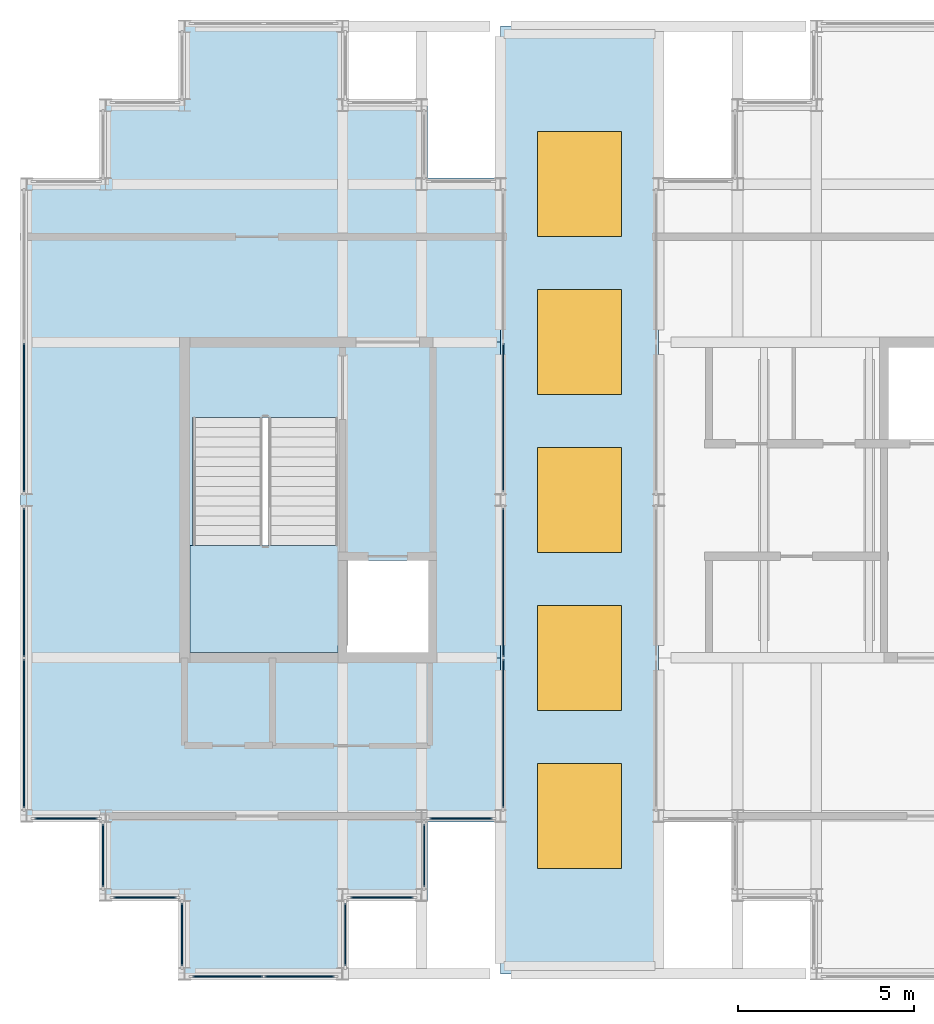
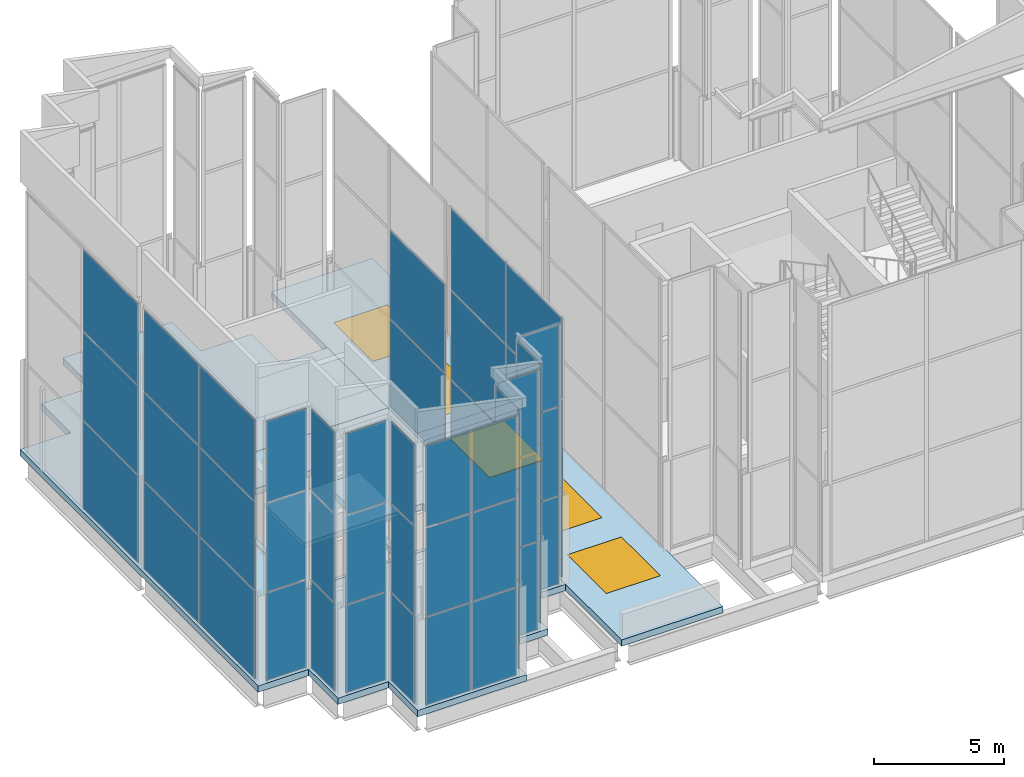
# One storey, part 11 of 23: 47 plates, 5 windows, 4 slabs, 5 openings, 14 elements without a shape of their own.
"""IFC4 building model written with IfcOpenShell, lengths in metres."""

from ifc_helpers import new_model, si_unit, direction, frame, origin, origin_2d, place, context, subcontext, project, spatial, polyline, rectangle, outline, extrude, material, layer, layer_set, type_object, element, fill, aggregate, save


model = new_model("IFC4")

# Units and contexts
model_context = context("Model", 3, precision=1e-05, world=origin(), true_north=direction((0.0, 1.0)))
body_context = subcontext(model_context, "Body", "Model", "MODEL_VIEW")
ifc_project = project(units=[si_unit("LENGTHUNIT", "METRE"), si_unit("AREAUNIT", "SQUARE_METRE"), si_unit("VOLUMEUNIT", "CUBIC_METRE"), si_unit("PLANEANGLEUNIT", "RADIAN"), si_unit("MASSUNIT", "GRAM", prefix="KILO")], contexts=[model_context])

# Site, building, storey
site_placement = place(None, origin())
site = spatial("IfcSite", under=ifc_project, at=site_placement, CompositionType="ELEMENT")
building_placement = place(site_placement, origin())
building = spatial("IfcBuilding", under=site, at=building_placement, Name="Caravel Reach Hotel and Residences", CompositionType="ELEMENT")
storey_placement = place(building_placement, frame((0.0, 0.0, 312.800048828125)))
storey = spatial("IfcBuildingStorey", under=building, at=storey_placement, Name="L79", CompositionType="ELEMENT", Elevation=312.800048828125)

# Curtain wall, plates
ifc_material_1 = material(Name="Dark low-e glazing in black aluminium frame", Category="aluminium")
ifc_layer_1 = layer(ifc_material_1, 0.199951171875)
ifc_layer_set_1 = layer_set([ifc_layer_1], Name="CW4 Crown glazing")
curtain_wall_type = type_object("IfcCurtainWallType", Name="CW4 Crown glazing", PredefinedType="NOTDEFINED", material=ifc_layer_set_1)
curtain_wall_1_placement = place(storey_placement, origin())
curtain_wall_1 = element("IfcCurtainWall", 1, at=curtain_wall_1_placement, inside=storey, type_object=curtain_wall_type, Name="Crown glazing b0", PredefinedType="NOTDEFINED")
ifc_material_2 = material(Name="Dark laminated low-e glass", Category="glass")
ifc_layer_2 = layer(ifc_material_2, 0.031982421875)
ifc_layer_set_2 = layer_set([ifc_layer_2], Name="CW glass panel 32")
plate_type = type_object("IfcPlateType", Name="CW glass panel 32", PredefinedType="CURTAIN_PANEL", material=ifc_layer_set_2)
plate_1_placement = place(storey_placement, frame((22.574951171875, 14.625, 0.06005859375), z_axis=(0.0, 0.0, 1.0), x_axis=(0.0, 1.0, 0.0)))
plate_1 = element("IfcPlate", 2, at=plate_1_placement, type_object=plate_type, Name="CW4 panel 1.1", PredefinedType="CURTAIN_PANEL", context=body_context, shape_type="SweptSolid", body=[
    extrude(rectangle(XDim=1.780029296875, YDim=0.031982421875, at=origin_2d()), origin(), (0.0, 0.0, 1.0), 4.110107421875),
])
plate_2_placement = place(storey_placement, frame((22.574951171875, 14.625, 4.22998046875), z_axis=(0.0, 0.0, 1.0), x_axis=(0.0, 1.0, 0.0)))
plate_2 = element("IfcPlate", 3, at=plate_2_placement, type_object=plate_type, Name="CW4 panel 1.2", PredefinedType="CURTAIN_PANEL", context=body_context, shape_type="SweptSolid", body=[
    extrude(rectangle(XDim=1.780029296875, YDim=0.031982421875, at=origin_2d()), origin(), (0.0, 0.0, 1.0), 4.139892578125),
])
plate_3_placement = place(storey_placement, frame((22.574951171875, 14.625, 8.429931640625), z_axis=(0.0, 0.0, 1.0), x_axis=(0.0, 1.0, 0.0)))
plate_3 = element("IfcPlate", 4, at=plate_3_placement, type_object=plate_type, Name="CW4 panel 1.3", PredefinedType="CURTAIN_PANEL", context=body_context, shape_type="SweptSolid", body=[
    extrude(rectangle(XDim=1.780029296875, YDim=0.031982421875, at=origin_2d()), origin(), (0.0, 0.0, 1.0), 3.81005859375),
])
aggregate(curtain_wall_1, [plate_1, plate_2, plate_3])

curtain_wall_2_placement = place(storey_placement, origin())
curtain_wall_2 = element("IfcCurtainWall", 5, at=curtain_wall_2_placement, inside=storey, type_object=curtain_wall_type, Name="Crown glazing b0", PredefinedType="NOTDEFINED")
plate_4_placement = place(storey_placement, frame((23.625, 15.675048828125, 0.06005859375), z_axis=(0.0, 0.0, 1.0), x_axis=(1.0, 0.0, 0.0)))
plate_4 = element("IfcPlate", 6, at=plate_4_placement, type_object=plate_type, Name="CW4 panel 1.1", PredefinedType="CURTAIN_PANEL", context=body_context, shape_type="SweptSolid", body=[
    extrude(rectangle(XDim=1.780029296875, YDim=0.031982421875, at=origin_2d()), origin(), (0.0, 0.0, 1.0), 4.110107421875),
])
plate_5_placement = place(storey_placement, frame((23.625, 15.675048828125, 4.22998046875), z_axis=(0.0, 0.0, 1.0), x_axis=(1.0, 0.0, 0.0)))
plate_5 = element("IfcPlate", 7, at=plate_5_placement, type_object=plate_type, Name="CW4 panel 1.2", PredefinedType="CURTAIN_PANEL", context=body_context, shape_type="SweptSolid", body=[
    extrude(rectangle(XDim=1.780029296875, YDim=0.031982421875, at=origin_2d()), origin(), (0.0, 0.0, 1.0), 4.139892578125),
])
plate_6_placement = place(storey_placement, frame((23.625, 15.675048828125, 8.429931640625), z_axis=(0.0, 0.0, 1.0), x_axis=(1.0, 0.0, 0.0)))
plate_6 = element("IfcPlate", 8, at=plate_6_placement, type_object=plate_type, Name="CW4 panel 1.3", PredefinedType="CURTAIN_PANEL", context=body_context, shape_type="SweptSolid", body=[
    extrude(rectangle(XDim=1.780029296875, YDim=0.031982421875, at=origin_2d()), origin(), (0.0, 0.0, 1.0), 3.81005859375),
])
aggregate(curtain_wall_2, [plate_4, plate_5, plate_6])

curtain_wall_3_placement = place(storey_placement, origin())
curtain_wall_3 = element("IfcCurtainWall", 9, at=curtain_wall_3_placement, inside=storey, type_object=curtain_wall_type, Name="Crown glazing b0", PredefinedType="NOTDEFINED")
plate_7_placement = place(storey_placement, frame((24.824951171875, 16.875, 0.06005859375), z_axis=(0.0, 0.0, 1.0), x_axis=(0.0, 1.0, 0.0)))
plate_7 = element("IfcPlate", 10, at=plate_7_placement, type_object=plate_type, Name="CW4 panel 1.1", PredefinedType="CURTAIN_PANEL", context=body_context, shape_type="SweptSolid", body=[
    extrude(rectangle(XDim=1.780029296875, YDim=0.031982421875, at=origin_2d()), origin(), (0.0, 0.0, 1.0), 4.110107421875),
])
plate_8_placement = place(storey_placement, frame((24.824951171875, 16.875, 4.22998046875), z_axis=(0.0, 0.0, 1.0), x_axis=(0.0, 1.0, 0.0)))
plate_8 = element("IfcPlate", 11, at=plate_8_placement, type_object=plate_type, Name="CW4 panel 1.2", PredefinedType="CURTAIN_PANEL", context=body_context, shape_type="SweptSolid", body=[
    extrude(rectangle(XDim=1.780029296875, YDim=0.031982421875, at=origin_2d()), origin(), (0.0, 0.0, 1.0), 4.139892578125),
])
plate_9_placement = place(storey_placement, frame((24.824951171875, 16.875, 8.429931640625), z_axis=(0.0, 0.0, 1.0), x_axis=(0.0, 1.0, 0.0)))
plate_9 = element("IfcPlate", 12, at=plate_9_placement, type_object=plate_type, Name="CW4 panel 1.3", PredefinedType="CURTAIN_PANEL", context=body_context, shape_type="SweptSolid", body=[
    extrude(rectangle(XDim=1.780029296875, YDim=0.031982421875, at=origin_2d()), origin(), (0.0, 0.0, 1.0), 3.81005859375),
])
aggregate(curtain_wall_3, [plate_7, plate_8, plate_9])

curtain_wall_4_placement = place(storey_placement, origin())
curtain_wall_4 = element("IfcCurtainWall", 13, at=curtain_wall_4_placement, inside=storey, type_object=curtain_wall_type, Name="Crown glazing b0", PredefinedType="NOTDEFINED")
plate_10_placement = place(storey_placement, frame((25.875, 17.925048828125, 0.06005859375), z_axis=(0.0, 0.0, 1.0), x_axis=(1.0, 0.0, 0.0)))
plate_10 = element("IfcPlate", 14, at=plate_10_placement, type_object=plate_type, Name="CW4 panel 1.1", PredefinedType="CURTAIN_PANEL", context=body_context, shape_type="SweptSolid", body=[
    extrude(rectangle(XDim=1.780029296875, YDim=0.031982421875, at=origin_2d()), origin(), (0.0, 0.0, 1.0), 4.110107421875),
])
plate_11_placement = place(storey_placement, frame((25.875, 17.925048828125, 4.22998046875), z_axis=(0.0, 0.0, 1.0), x_axis=(1.0, 0.0, 0.0)))
plate_11 = element("IfcPlate", 15, at=plate_11_placement, type_object=plate_type, Name="CW4 panel 1.2", PredefinedType="CURTAIN_PANEL", context=body_context, shape_type="SweptSolid", body=[
    extrude(rectangle(XDim=1.780029296875, YDim=0.031982421875, at=origin_2d()), origin(), (0.0, 0.0, 1.0), 4.139892578125),
])
plate_12_placement = place(storey_placement, frame((25.875, 17.925048828125, 8.429931640625), z_axis=(0.0, 0.0, 1.0), x_axis=(1.0, 0.0, 0.0)))
plate_12 = element("IfcPlate", 16, at=plate_12_placement, type_object=plate_type, Name="CW4 panel 1.3", PredefinedType="CURTAIN_PANEL", context=body_context, shape_type="SweptSolid", body=[
    extrude(rectangle(XDim=1.780029296875, YDim=0.031982421875, at=origin_2d()), origin(), (0.0, 0.0, 1.0), 3.81005859375),
])
aggregate(curtain_wall_4, [plate_10, plate_11, plate_12])

curtain_wall_5_placement = place(storey_placement, origin())
curtain_wall_5 = element("IfcCurtainWall", 17, at=curtain_wall_5_placement, inside=storey, type_object=curtain_wall_type, Name="Crown glazing b0", PredefinedType="NOTDEFINED")
plate_13_placement = place(storey_placement, frame((27.074951171875, 20.3525390625, 0.06005859375), z_axis=(0.0, 0.0, 1.0), x_axis=(0.0, 1.0, 0.0)))
plate_13 = element("IfcPlate", 18, at=plate_13_placement, type_object=plate_type, Name="CW4 panel 1.1", PredefinedType="CURTAIN_PANEL", context=body_context, shape_type="SweptSolid", body=[
    extrude(rectangle(XDim=4.235107421875, YDim=0.031982421875, at=origin_2d()), origin(), (0.0, 0.0, 1.0), 4.110107421875),
])
plate_14_placement = place(storey_placement, frame((27.074951171875, 20.3525390625, 4.22998046875), z_axis=(0.0, 0.0, 1.0), x_axis=(0.0, 1.0, 0.0)))
plate_14 = element("IfcPlate", 19, at=plate_14_placement, type_object=plate_type, Name="CW4 panel 1.2", PredefinedType="CURTAIN_PANEL", context=body_context, shape_type="SweptSolid", body=[
    extrude(rectangle(XDim=4.235107421875, YDim=0.031982421875, at=origin_2d()), origin(), (0.0, 0.0, 1.0), 4.139892578125),
])
plate_15_placement = place(storey_placement, frame((27.074951171875, 20.3525390625, 8.429931640625), z_axis=(0.0, 0.0, 1.0), x_axis=(0.0, 1.0, 0.0)))
plate_15 = element("IfcPlate", 20, at=plate_15_placement, type_object=plate_type, Name="CW4 panel 1.3", PredefinedType="CURTAIN_PANEL", context=body_context, shape_type="SweptSolid", body=[
    extrude(rectangle(XDim=4.235107421875, YDim=0.031982421875, at=origin_2d()), origin(), (0.0, 0.0, 1.0), 3.81005859375),
])
plate_16_placement = place(storey_placement, frame((27.074951171875, 24.6474609375, 0.06005859375), z_axis=(0.0, 0.0, 1.0), x_axis=(0.0, 1.0, 0.0)))
plate_16 = element("IfcPlate", 21, at=plate_16_placement, type_object=plate_type, Name="CW4 panel 2.1", PredefinedType="CURTAIN_PANEL", context=body_context, shape_type="SweptSolid", body=[
    extrude(rectangle(XDim=4.235107421875, YDim=0.031982421875, at=origin_2d()), origin(), (0.0, 0.0, 1.0), 4.110107421875),
])
plate_17_placement = place(storey_placement, frame((27.074951171875, 24.6474609375, 4.22998046875), z_axis=(0.0, 0.0, 1.0), x_axis=(0.0, 1.0, 0.0)))
plate_17 = element("IfcPlate", 22, at=plate_17_placement, type_object=plate_type, Name="CW4 panel 2.2", PredefinedType="CURTAIN_PANEL", context=body_context, shape_type="SweptSolid", body=[
    extrude(rectangle(XDim=4.235107421875, YDim=0.031982421875, at=origin_2d()), origin(), (0.0, 0.0, 1.0), 4.139892578125),
])
plate_18_placement = place(storey_placement, frame((27.074951171875, 24.6474609375, 8.429931640625), z_axis=(0.0, 0.0, 1.0), x_axis=(0.0, 1.0, 0.0)))
plate_18 = element("IfcPlate", 23, at=plate_18_placement, type_object=plate_type, Name="CW4 panel 2.3", PredefinedType="CURTAIN_PANEL", context=body_context, shape_type="SweptSolid", body=[
    extrude(rectangle(XDim=4.235107421875, YDim=0.031982421875, at=origin_2d()), origin(), (0.0, 0.0, 1.0), 3.81005859375),
])
aggregate(curtain_wall_5, [plate_13, plate_14, plate_15, plate_16, plate_17, plate_18])

curtain_wall_6_placement = place(storey_placement, origin())
curtain_wall_6 = element("IfcCurtainWall", 24, at=curtain_wall_6_placement, inside=storey, type_object=curtain_wall_type, Name="Crown glazing b1", PredefinedType="NOTDEFINED")
plate_19_placement = place(storey_placement, frame((27.074951171875, 29.3525390625, 0.06005859375), z_axis=(0.0, 0.0, 1.0), x_axis=(0.0, 1.0, 0.0)))
plate_19 = element("IfcPlate", 25, at=plate_19_placement, type_object=plate_type, Name="CW4 panel 1.1", PredefinedType="CURTAIN_PANEL", context=body_context, shape_type="SweptSolid", body=[
    extrude(rectangle(XDim=4.235107421875, YDim=0.031982421875, at=origin_2d()), origin(), (0.0, 0.0, 1.0), 4.110107421875),
])
plate_20_placement = place(storey_placement, frame((27.074951171875, 29.3525390625, 4.22998046875), z_axis=(0.0, 0.0, 1.0), x_axis=(0.0, 1.0, 0.0)))
plate_20 = element("IfcPlate", 26, at=plate_20_placement, type_object=plate_type, Name="CW4 panel 1.2", PredefinedType="CURTAIN_PANEL", context=body_context, shape_type="SweptSolid", body=[
    extrude(rectangle(XDim=4.235107421875, YDim=0.031982421875, at=origin_2d()), origin(), (0.0, 0.0, 1.0), 4.139892578125),
])
aggregate(curtain_wall_6, [plate_19, plate_20])

curtain_wall_7_placement = place(storey_placement, origin())
curtain_wall_7 = element("IfcCurtainWall", 27, at=curtain_wall_7_placement, inside=storey, type_object=curtain_wall_type, Name="Crown glazing b0", PredefinedType="NOTDEFINED")
plate_21_placement = place(storey_placement, frame((13.425048828125, 29.3525390625, 0.06005859375), z_axis=(0.0, 0.0, 1.0), x_axis=(0.0, -1.0, 0.0)))
plate_21 = element("IfcPlate", 28, at=plate_21_placement, type_object=plate_type, Name="CW4 panel 2.1", PredefinedType="CURTAIN_PANEL", context=body_context, shape_type="SweptSolid", body=[
    extrude(rectangle(XDim=4.235107421875, YDim=0.031982421875, at=origin_2d()), origin(), (0.0, 0.0, 1.0), 4.110107421875),
])
plate_22_placement = place(storey_placement, frame((13.425048828125, 29.3525390625, 4.22998046875), z_axis=(0.0, 0.0, 1.0), x_axis=(0.0, -1.0, 0.0)))
plate_22 = element("IfcPlate", 29, at=plate_22_placement, type_object=plate_type, Name="CW4 panel 2.2", PredefinedType="CURTAIN_PANEL", context=body_context, shape_type="SweptSolid", body=[
    extrude(rectangle(XDim=4.235107421875, YDim=0.031982421875, at=origin_2d()), origin(), (0.0, 0.0, 1.0), 4.139892578125),
])
plate_23_placement = place(storey_placement, frame((13.425048828125, 29.3525390625, 8.429931640625), z_axis=(0.0, 0.0, 1.0), x_axis=(0.0, -1.0, 0.0)))
plate_23 = element("IfcPlate", 30, at=plate_23_placement, type_object=plate_type, Name="CW4 panel 2.3", PredefinedType="CURTAIN_PANEL", context=body_context, shape_type="SweptSolid", body=[
    extrude(rectangle(XDim=4.235107421875, YDim=0.031982421875, at=origin_2d()), origin(), (0.0, 0.0, 1.0), 3.81005859375),
])
aggregate(curtain_wall_7, [plate_21, plate_22, plate_23])

curtain_wall_8_placement = place(storey_placement, origin())
curtain_wall_8 = element("IfcCurtainWall", 31, at=curtain_wall_8_placement, inside=storey, type_object=curtain_wall_type, Name="Crown glazing b1", PredefinedType="NOTDEFINED")
plate_24_placement = place(storey_placement, frame((13.425048828125, 24.6474609375, 0.06005859375), z_axis=(0.0, 0.0, 1.0), x_axis=(0.0, -1.0, 0.0)))
plate_24 = element("IfcPlate", 32, at=plate_24_placement, type_object=plate_type, Name="CW4 panel 1.1", PredefinedType="CURTAIN_PANEL", context=body_context, shape_type="SweptSolid", body=[
    extrude(rectangle(XDim=4.235107421875, YDim=0.031982421875, at=origin_2d()), origin(), (0.0, 0.0, 1.0), 4.110107421875),
])
plate_25_placement = place(storey_placement, frame((13.425048828125, 24.6474609375, 4.22998046875), z_axis=(0.0, 0.0, 1.0), x_axis=(0.0, -1.0, 0.0)))
plate_25 = element("IfcPlate", 33, at=plate_25_placement, type_object=plate_type, Name="CW4 panel 1.2", PredefinedType="CURTAIN_PANEL", context=body_context, shape_type="SweptSolid", body=[
    extrude(rectangle(XDim=4.235107421875, YDim=0.031982421875, at=origin_2d()), origin(), (0.0, 0.0, 1.0), 4.139892578125),
])
plate_26_placement = place(storey_placement, frame((13.425048828125, 24.6474609375, 8.429931640625), z_axis=(0.0, 0.0, 1.0), x_axis=(0.0, -1.0, 0.0)))
plate_26 = element("IfcPlate", 34, at=plate_26_placement, type_object=plate_type, Name="CW4 panel 1.3", PredefinedType="CURTAIN_PANEL", context=body_context, shape_type="SweptSolid", body=[
    extrude(rectangle(XDim=4.235107421875, YDim=0.031982421875, at=origin_2d()), origin(), (0.0, 0.0, 1.0), 3.81005859375),
])
plate_27_placement = place(storey_placement, frame((13.425048828125, 20.3525390625, 0.06005859375), z_axis=(0.0, 0.0, 1.0), x_axis=(0.0, -1.0, 0.0)))
plate_27 = element("IfcPlate", 35, at=plate_27_placement, type_object=plate_type, Name="CW4 panel 2.1", PredefinedType="CURTAIN_PANEL", context=body_context, shape_type="SweptSolid", body=[
    extrude(rectangle(XDim=4.235107421875, YDim=0.031982421875, at=origin_2d()), origin(), (0.0, 0.0, 1.0), 4.110107421875),
])
plate_28_placement = place(storey_placement, frame((13.425048828125, 20.3525390625, 4.22998046875), z_axis=(0.0, 0.0, 1.0), x_axis=(0.0, -1.0, 0.0)))
plate_28 = element("IfcPlate", 36, at=plate_28_placement, type_object=plate_type, Name="CW4 panel 2.2", PredefinedType="CURTAIN_PANEL", context=body_context, shape_type="SweptSolid", body=[
    extrude(rectangle(XDim=4.235107421875, YDim=0.031982421875, at=origin_2d()), origin(), (0.0, 0.0, 1.0), 4.139892578125),
])
plate_29_placement = place(storey_placement, frame((13.425048828125, 20.3525390625, 8.429931640625), z_axis=(0.0, 0.0, 1.0), x_axis=(0.0, -1.0, 0.0)))
plate_29 = element("IfcPlate", 37, at=plate_29_placement, type_object=plate_type, Name="CW4 panel 2.3", PredefinedType="CURTAIN_PANEL", context=body_context, shape_type="SweptSolid", body=[
    extrude(rectangle(XDim=4.235107421875, YDim=0.031982421875, at=origin_2d()), origin(), (0.0, 0.0, 1.0), 3.81005859375),
])
aggregate(curtain_wall_8, [plate_24, plate_25, plate_26, plate_27, plate_28, plate_29])

curtain_wall_9_placement = place(storey_placement, origin())
curtain_wall_9 = element("IfcCurtainWall", 38, at=curtain_wall_9_placement, inside=storey, type_object=curtain_wall_type, Name="Crown glazing b0", PredefinedType="NOTDEFINED")
plate_30_placement = place(storey_placement, frame((14.625, 17.925048828125, 0.06005859375), z_axis=(0.0, 0.0, 1.0), x_axis=(1.0, 0.0, 0.0)))
plate_30 = element("IfcPlate", 39, at=plate_30_placement, type_object=plate_type, Name="CW4 panel 1.1", PredefinedType="CURTAIN_PANEL", context=body_context, shape_type="SweptSolid", body=[
    extrude(rectangle(XDim=1.780029296875, YDim=0.031982421875, at=origin_2d()), origin(), (0.0, 0.0, 1.0), 4.110107421875),
])
plate_31_placement = place(storey_placement, frame((14.625, 17.925048828125, 4.22998046875), z_axis=(0.0, 0.0, 1.0), x_axis=(1.0, 0.0, 0.0)))
plate_31 = element("IfcPlate", 40, at=plate_31_placement, type_object=plate_type, Name="CW4 panel 1.2", PredefinedType="CURTAIN_PANEL", context=body_context, shape_type="SweptSolid", body=[
    extrude(rectangle(XDim=1.780029296875, YDim=0.031982421875, at=origin_2d()), origin(), (0.0, 0.0, 1.0), 4.139892578125),
])
plate_32_placement = place(storey_placement, frame((14.625, 17.925048828125, 8.429931640625), z_axis=(0.0, 0.0, 1.0), x_axis=(1.0, 0.0, 0.0)))
plate_32 = element("IfcPlate", 41, at=plate_32_placement, type_object=plate_type, Name="CW4 panel 1.3", PredefinedType="CURTAIN_PANEL", context=body_context, shape_type="SweptSolid", body=[
    extrude(rectangle(XDim=1.780029296875, YDim=0.031982421875, at=origin_2d()), origin(), (0.0, 0.0, 1.0), 3.81005859375),
])
aggregate(curtain_wall_9, [plate_30, plate_31, plate_32])

curtain_wall_10_placement = place(storey_placement, origin())
curtain_wall_10 = element("IfcCurtainWall", 42, at=curtain_wall_10_placement, inside=storey, type_object=curtain_wall_type, Name="Crown glazing b0", PredefinedType="NOTDEFINED")
plate_33_placement = place(storey_placement, frame((15.675048828125, 16.875, 0.06005859375), z_axis=(0.0, 0.0, 1.0), x_axis=(0.0, -1.0, 0.0)))
plate_33 = element("IfcPlate", 43, at=plate_33_placement, type_object=plate_type, Name="CW4 panel 1.1", PredefinedType="CURTAIN_PANEL", context=body_context, shape_type="SweptSolid", body=[
    extrude(rectangle(XDim=1.780029296875, YDim=0.031982421875, at=origin_2d()), origin(), (0.0, 0.0, 1.0), 4.110107421875),
])
plate_34_placement = place(storey_placement, frame((15.675048828125, 16.875, 4.22998046875), z_axis=(0.0, 0.0, 1.0), x_axis=(0.0, -1.0, 0.0)))
plate_34 = element("IfcPlate", 44, at=plate_34_placement, type_object=plate_type, Name="CW4 panel 1.2", PredefinedType="CURTAIN_PANEL", context=body_context, shape_type="SweptSolid", body=[
    extrude(rectangle(XDim=1.780029296875, YDim=0.031982421875, at=origin_2d()), origin(), (0.0, 0.0, 1.0), 4.139892578125),
])
plate_35_placement = place(storey_placement, frame((15.675048828125, 16.875, 8.429931640625), z_axis=(0.0, 0.0, 1.0), x_axis=(0.0, -1.0, 0.0)))
plate_35 = element("IfcPlate", 45, at=plate_35_placement, type_object=plate_type, Name="CW4 panel 1.3", PredefinedType="CURTAIN_PANEL", context=body_context, shape_type="SweptSolid", body=[
    extrude(rectangle(XDim=1.780029296875, YDim=0.031982421875, at=origin_2d()), origin(), (0.0, 0.0, 1.0), 3.81005859375),
])
aggregate(curtain_wall_10, [plate_33, plate_34, plate_35])

curtain_wall_11_placement = place(storey_placement, origin())
curtain_wall_11 = element("IfcCurtainWall", 46, at=curtain_wall_11_placement, inside=storey, type_object=curtain_wall_type, Name="Crown glazing b0", PredefinedType="NOTDEFINED")
plate_36_placement = place(storey_placement, frame((16.875, 15.675048828125, 0.06005859375), z_axis=(0.0, 0.0, 1.0), x_axis=(1.0, 0.0, 0.0)))
plate_36 = element("IfcPlate", 47, at=plate_36_placement, type_object=plate_type, Name="CW4 panel 1.1", PredefinedType="CURTAIN_PANEL", context=body_context, shape_type="SweptSolid", body=[
    extrude(rectangle(XDim=1.780029296875, YDim=0.031982421875, at=origin_2d()), origin(), (0.0, 0.0, 1.0), 4.110107421875),
])
plate_37_placement = place(storey_placement, frame((16.875, 15.675048828125, 4.22998046875), z_axis=(0.0, 0.0, 1.0), x_axis=(1.0, 0.0, 0.0)))
plate_37 = element("IfcPlate", 48, at=plate_37_placement, type_object=plate_type, Name="CW4 panel 1.2", PredefinedType="CURTAIN_PANEL", context=body_context, shape_type="SweptSolid", body=[
    extrude(rectangle(XDim=1.780029296875, YDim=0.031982421875, at=origin_2d()), origin(), (0.0, 0.0, 1.0), 4.139892578125),
])
plate_38_placement = place(storey_placement, frame((16.875, 15.675048828125, 8.429931640625), z_axis=(0.0, 0.0, 1.0), x_axis=(1.0, 0.0, 0.0)))
plate_38 = element("IfcPlate", 49, at=plate_38_placement, type_object=plate_type, Name="CW4 panel 1.3", PredefinedType="CURTAIN_PANEL", context=body_context, shape_type="SweptSolid", body=[
    extrude(rectangle(XDim=1.780029296875, YDim=0.031982421875, at=origin_2d()), origin(), (0.0, 0.0, 1.0), 3.81005859375),
])
aggregate(curtain_wall_11, [plate_36, plate_37, plate_38])

curtain_wall_12_placement = place(storey_placement, origin())
curtain_wall_12 = element("IfcCurtainWall", 50, at=curtain_wall_12_placement, inside=storey, type_object=curtain_wall_type, Name="Crown glazing b0", PredefinedType="NOTDEFINED")
plate_39_placement = place(storey_placement, frame((17.925048828125, 14.625, 0.06005859375), z_axis=(0.0, 0.0, 1.0), x_axis=(0.0, -1.0, 0.0)))
plate_39 = element("IfcPlate", 51, at=plate_39_placement, type_object=plate_type, Name="CW4 panel 1.1", PredefinedType="CURTAIN_PANEL", context=body_context, shape_type="SweptSolid", body=[
    extrude(rectangle(XDim=1.780029296875, YDim=0.031982421875, at=origin_2d()), origin(), (0.0, 0.0, 1.0), 4.110107421875),
])
plate_40_placement = place(storey_placement, frame((17.925048828125, 14.625, 4.22998046875), z_axis=(0.0, 0.0, 1.0), x_axis=(0.0, -1.0, 0.0)))
plate_40 = element("IfcPlate", 52, at=plate_40_placement, type_object=plate_type, Name="CW4 panel 1.2", PredefinedType="CURTAIN_PANEL", context=body_context, shape_type="SweptSolid", body=[
    extrude(rectangle(XDim=1.780029296875, YDim=0.031982421875, at=origin_2d()), origin(), (0.0, 0.0, 1.0), 4.139892578125),
])
plate_41_placement = place(storey_placement, frame((17.925048828125, 14.625, 8.429931640625), z_axis=(0.0, 0.0, 1.0), x_axis=(0.0, -1.0, 0.0)))
plate_41 = element("IfcPlate", 53, at=plate_41_placement, type_object=plate_type, Name="CW4 panel 1.3", PredefinedType="CURTAIN_PANEL", context=body_context, shape_type="SweptSolid", body=[
    extrude(rectangle(XDim=1.780029296875, YDim=0.031982421875, at=origin_2d()), origin(), (0.0, 0.0, 1.0), 3.81005859375),
])
aggregate(curtain_wall_12, [plate_39, plate_40, plate_41])

curtain_wall_13_placement = place(storey_placement, origin())
curtain_wall_13 = element("IfcCurtainWall", 54, at=curtain_wall_13_placement, inside=storey, type_object=curtain_wall_type, Name="Crown glazing b0", PredefinedType="NOTDEFINED")
plate_42_placement = place(storey_placement, frame((19.2275390625, 13.425048828125, 0.06005859375), z_axis=(0.0, 0.0, 1.0), x_axis=(1.0, 0.0, 0.0)))
plate_42 = element("IfcPlate", 55, at=plate_42_placement, type_object=plate_type, Name="CW4 panel 1.1", PredefinedType="CURTAIN_PANEL", context=body_context, shape_type="SweptSolid", body=[
    extrude(rectangle(XDim=1.985107421875, YDim=0.031982421875, at=origin_2d()), origin(), (0.0, 0.0, 1.0), 4.110107421875),
])
plate_43_placement = place(storey_placement, frame((19.2275390625, 13.425048828125, 4.22998046875), z_axis=(0.0, 0.0, 1.0), x_axis=(1.0, 0.0, 0.0)))
plate_43 = element("IfcPlate", 56, at=plate_43_placement, type_object=plate_type, Name="CW4 panel 1.2", PredefinedType="CURTAIN_PANEL", context=body_context, shape_type="SweptSolid", body=[
    extrude(rectangle(XDim=1.985107421875, YDim=0.031982421875, at=origin_2d()), origin(), (0.0, 0.0, 1.0), 4.139892578125),
])
plate_44_placement = place(storey_placement, frame((19.2275390625, 13.425048828125, 8.429931640625), z_axis=(0.0, 0.0, 1.0), x_axis=(1.0, 0.0, 0.0)))
plate_44 = element("IfcPlate", 57, at=plate_44_placement, type_object=plate_type, Name="CW4 panel 1.3", PredefinedType="CURTAIN_PANEL", context=body_context, shape_type="SweptSolid", body=[
    extrude(rectangle(XDim=1.985107421875, YDim=0.031982421875, at=origin_2d()), origin(), (0.0, 0.0, 1.0), 3.81005859375),
])
plate_45_placement = place(storey_placement, frame((21.2724609375, 13.425048828125, 0.06005859375), z_axis=(0.0, 0.0, 1.0), x_axis=(1.0, 0.0, 0.0)))
plate_45 = element("IfcPlate", 58, at=plate_45_placement, type_object=plate_type, Name="CW4 panel 2.1", PredefinedType="CURTAIN_PANEL", context=body_context, shape_type="SweptSolid", body=[
    extrude(rectangle(XDim=1.985107421875, YDim=0.031982421875, at=origin_2d()), origin(), (0.0, 0.0, 1.0), 4.110107421875),
])
plate_46_placement = place(storey_placement, frame((21.2724609375, 13.425048828125, 4.22998046875), z_axis=(0.0, 0.0, 1.0), x_axis=(1.0, 0.0, 0.0)))
plate_46 = element("IfcPlate", 59, at=plate_46_placement, type_object=plate_type, Name="CW4 panel 2.2", PredefinedType="CURTAIN_PANEL", context=body_context, shape_type="SweptSolid", body=[
    extrude(rectangle(XDim=1.985107421875, YDim=0.031982421875, at=origin_2d()), origin(), (0.0, 0.0, 1.0), 4.139892578125),
])
plate_47_placement = place(storey_placement, frame((21.2724609375, 13.425048828125, 8.429931640625), z_axis=(0.0, 0.0, 1.0), x_axis=(1.0, 0.0, 0.0)))
plate_47 = element("IfcPlate", 60, at=plate_47_placement, type_object=plate_type, Name="CW4 panel 2.3", PredefinedType="CURTAIN_PANEL", context=body_context, shape_type="SweptSolid", body=[
    extrude(rectangle(XDim=1.985107421875, YDim=0.031982421875, at=origin_2d()), origin(), (0.0, 0.0, 1.0), 3.81005859375),
])
aggregate(curtain_wall_13, [plate_42, plate_43, plate_44, plate_45, plate_46, plate_47])

# Slab
ifc_material_3 = material(Name="Concrete C40", Category="concrete")
ifc_layer_3 = layer(ifc_material_3, 0.300048828125)
ifc_layer_set_3 = layer_set([ifc_layer_3], Name="Core floor slab 300 mm")
slab_type_1 = type_object("IfcSlabType", Name="Core floor slab 300 mm", PredefinedType="FLOOR", material=ifc_layer_set_3)
slab_1_placement = place(storey_placement, frame((0.0, 0.0, -0.300048828125)))
element("IfcSlab", 61, at=slab_1_placement, inside=storey, type_object=slab_type_1, Name="L79 core floor", PredefinedType="FLOOR", context=body_context, shape_type="SweptSolid", body=[
    extrude(outline(polyline([(18.0, 31.5), (27.0, 31.5), (27.0, 22.5), (18.0, 22.5), (18.0, 31.5)]), holes=[polyline([(22.625, 22.64990234375), (24.9462890625, 22.64990234375), (24.9462890625, 25.27490234375), (22.625, 25.27490234375), (22.625, 22.64990234375)]), polyline([(22.375, 29.35009765625), (18.22509765625, 29.35009765625), (18.22509765625, 22.64990234375), (22.375, 22.64990234375), (22.375, 29.35009765625)])]), origin(), (0.0, 0.0, 1.0), 0.300048828125),
])

# Stair, slab
ifc_material_4 = material(Name="Concrete C40", Category="concrete")
stair_type = type_object("IfcStairType", Name="Core stair", PredefinedType="HALF_TURN_STAIR", material=ifc_material_4)
stair_placement = place(storey_placement, origin())
stair = element("IfcStair", 62, at=stair_placement, inside=storey, type_object=stair_type, Name="L79 Exit stair A", PredefinedType="HALF_TURN_STAIR")
ifc_material_5 = material(Name="Concrete C40", Category="concrete")
ifc_layer_4 = layer(ifc_material_5, 0.199951171875)
ifc_layer_set_4 = layer_set([ifc_layer_4], Name="Core stair landing")
slab_type_2 = type_object("IfcSlabType", Name="Core stair landing", PredefinedType="LANDING", material=ifc_layer_set_4)
slab_2_placement = place(storey_placement, frame((0.0, 0.0, 1.89990234375)))
slab_2 = element("IfcSlab", 63, at=slab_2_placement, type_object=slab_type_2, Name="ST-A landing 1", PredefinedType="LANDING", context=body_context, shape_type="SweptSolid", body=[
    extrude(outline(polyline([(18.14990234375, 25.7099609375), (18.14990234375, 22.64990234375), (22.375, 22.64990234375), (22.375, 25.7099609375), (18.14990234375, 25.7099609375)])), origin(), (0.0, 0.0, 1.0), 0.199951171875),
])
aggregate(stair, [slab_2])

# Slab
ifc_material_6 = material(Name="Concrete C40 post-tensioned", Category="concrete")
ifc_layer_5 = layer(ifc_material_6, 0.300048828125)
ifc_layer_set_5 = layer_set([ifc_layer_5], Name="Floor slab 300")
slab_type_3 = type_object("IfcSlabType", Name="Floor slab 300", PredefinedType="FLOOR", material=ifc_layer_set_5)
slab_3_placement = place(storey_placement, frame((0.0, 0.0, -0.300048828125)))
element("IfcSlab", 64, at=slab_3_placement, inside=storey, type_object=slab_type_3, Name="S2 slab L79", PredefinedType="FLOOR", context=body_context, shape_type="SweptSolid", body=[
    extrude(outline(polyline([(13.324951171875, 36.175048828125), (15.574951171875, 36.175048828125), (15.574951171875, 38.425048828125), (17.824951171875, 38.425048828125), (17.824951171875, 40.675048828125), (22.675048828125, 40.675048828125), (22.675048828125, 38.425048828125), (24.925048828125, 38.425048828125), (24.925048828125, 36.175048828125), (27.0, 36.175048828125), (27.0, 36.0), (27.0, 31.5), (22.5, 31.5), (18.0, 31.5), (18.0, 22.5), (22.5, 22.5), (27.0, 22.5), (27.0, 18.0), (27.0, 17.824951171875), (24.925048828125, 17.824951171875), (24.925048828125, 15.574951171875), (22.675048828125, 15.574951171875), (22.675048828125, 13.324951171875), (17.824951171875, 13.324951171875), (17.824951171875, 15.574951171875), (15.574951171875, 15.574951171875), (15.574951171875, 17.824951171875), (13.324951171875, 17.824951171875), (13.324951171875, 36.175048828125)])), origin(), (0.0, 0.0, 1.0), 0.300048828125),
])

# Slab, openings, windows
ifc_material_7 = material(Name="Concrete C40", Category="concrete")
ifc_layer_6 = layer(ifc_material_7, 0.300048828125)
ifc_layer_set_6 = layer_set([ifc_layer_6], Name="Roof terrace slab 300")
slab_type_4 = type_object("IfcSlabType", Name="Roof terrace slab 300", PredefinedType="ROOF", material=ifc_layer_set_6)
slab_4_placement = place(storey_placement, frame((0.0, 0.0, -0.300048828125)))
slab_4 = element("IfcSlab", 65, at=slab_4_placement, inside=storey, type_object=slab_type_4, Name="S6 slot deck", PredefinedType="ROOF", context=body_context, shape_type="SweptSolid", body=[
    extrude(outline(polyline([(31.5, 13.5), (31.5, 40.5), (27.0, 40.5), (27.0, 13.5), (31.5, 13.5)])), origin(), (0.0, 0.0, 1.0), 0.300048828125),
])
opening_1_placement = place(slab_4_placement, frame((29.25, 18.0, 0.0)))
opening_1 = element("IfcOpeningElement", 66, at=opening_1_placement, cuts=slab_4, Name="Opening SK1", PredefinedType="OPENING", context=body_context, shape_type="SweptSolid", body=[
    extrude(rectangle(XDim=2.39990234375, YDim=3.0, at=origin_2d()), origin(), (0.0, 0.0, 1.0), 0.300048828125),
])
opening_2_placement = place(slab_4_placement, frame((29.25, 22.5, 0.0)))
opening_2 = element("IfcOpeningElement", 67, at=opening_2_placement, cuts=slab_4, Name="Opening SK1", PredefinedType="OPENING", context=body_context, shape_type="SweptSolid", body=[
    extrude(rectangle(XDim=2.39990234375, YDim=3.0, at=origin_2d()), origin(), (0.0, 0.0, 1.0), 0.300048828125),
])
opening_3_placement = place(slab_4_placement, frame((29.25, 27.0, 0.0)))
opening_3 = element("IfcOpeningElement", 68, at=opening_3_placement, cuts=slab_4, Name="Opening SK1", PredefinedType="OPENING", context=body_context, shape_type="SweptSolid", body=[
    extrude(rectangle(XDim=2.39990234375, YDim=3.0, at=origin_2d()), origin(), (0.0, 0.0, 1.0), 0.300048828125),
])
opening_4_placement = place(slab_4_placement, frame((29.25, 31.5, 0.0)))
opening_4 = element("IfcOpeningElement", 69, at=opening_4_placement, cuts=slab_4, Name="Opening SK1", PredefinedType="OPENING", context=body_context, shape_type="SweptSolid", body=[
    extrude(rectangle(XDim=2.39990234375, YDim=3.0, at=origin_2d()), origin(), (0.0, 0.0, 1.0), 0.300048828125),
])
opening_5_placement = place(slab_4_placement, frame((29.25, 36.0, 0.0)))
opening_5 = element("IfcOpeningElement", 70, at=opening_5_placement, cuts=slab_4, Name="Opening SK1", PredefinedType="OPENING", context=body_context, shape_type="SweptSolid", body=[
    extrude(rectangle(XDim=2.39990234375, YDim=3.0, at=origin_2d()), origin(), (0.0, 0.0, 1.0), 0.300048828125),
])
ifc_material_8 = material(Name="Laminated low-e glass in black aluminium frame", Category="aluminium")
window_type = type_object("IfcWindowType", Name="SK1 Damper gallery rooflight 2400 x 3000", PartitioningType="SINGLE_PANEL", PredefinedType="SKYLIGHT", material=ifc_material_8)
window_1_placement = place(opening_1_placement, frame((0.0, 0.0, 0.25)))
window_1 = element("IfcWindow", 71, at=window_1_placement, inside=storey, type_object=window_type, Name="Rooflight 1", OverallHeight=3.0, OverallWidth=2.39990234375, PartitioningType="SINGLE_PANEL", PredefinedType="SKYLIGHT", context=body_context, shape_type="SweptSolid", body=[
    extrude(rectangle(XDim=2.39990234375, YDim=3.0, at=origin_2d()), origin(), (0.0, 0.0, 1.0), 0.050048828125),
])
fill(opening_1, window_1)
window_2_placement = place(opening_2_placement, frame((0.0, 0.0, 0.25)))
window_2 = element("IfcWindow", 72, at=window_2_placement, inside=storey, type_object=window_type, Name="Rooflight 2", OverallHeight=3.0, OverallWidth=2.39990234375, PartitioningType="SINGLE_PANEL", PredefinedType="SKYLIGHT", context=body_context, shape_type="SweptSolid", body=[
    extrude(rectangle(XDim=2.39990234375, YDim=3.0, at=origin_2d()), origin(), (0.0, 0.0, 1.0), 0.050048828125),
])
fill(opening_2, window_2)
window_3_placement = place(opening_3_placement, frame((0.0, 0.0, 0.25)))
window_3 = element("IfcWindow", 73, at=window_3_placement, inside=storey, type_object=window_type, Name="Rooflight 3", OverallHeight=3.0, OverallWidth=2.39990234375, PartitioningType="SINGLE_PANEL", PredefinedType="SKYLIGHT", context=body_context, shape_type="SweptSolid", body=[
    extrude(rectangle(XDim=2.39990234375, YDim=3.0, at=origin_2d()), origin(), (0.0, 0.0, 1.0), 0.050048828125),
])
fill(opening_3, window_3)
window_4_placement = place(opening_4_placement, frame((0.0, 0.0, 0.25)))
window_4 = element("IfcWindow", 74, at=window_4_placement, inside=storey, type_object=window_type, Name="Rooflight 4", OverallHeight=3.0, OverallWidth=2.39990234375, PartitioningType="SINGLE_PANEL", PredefinedType="SKYLIGHT", context=body_context, shape_type="SweptSolid", body=[
    extrude(rectangle(XDim=2.39990234375, YDim=3.0, at=origin_2d()), origin(), (0.0, 0.0, 1.0), 0.050048828125),
])
fill(opening_4, window_4)
window_5_placement = place(opening_5_placement, frame((0.0, 0.0, 0.25)))
window_5 = element("IfcWindow", 75, at=window_5_placement, inside=storey, type_object=window_type, Name="Rooflight 5", OverallHeight=3.0, OverallWidth=2.39990234375, PartitioningType="SINGLE_PANEL", PredefinedType="SKYLIGHT", context=body_context, shape_type="SweptSolid", body=[
    extrude(rectangle(XDim=2.39990234375, YDim=3.0, at=origin_2d()), origin(), (0.0, 0.0, 1.0), 0.050048828125),
])
fill(opening_5, window_5)

save(model, "model.ifc")
